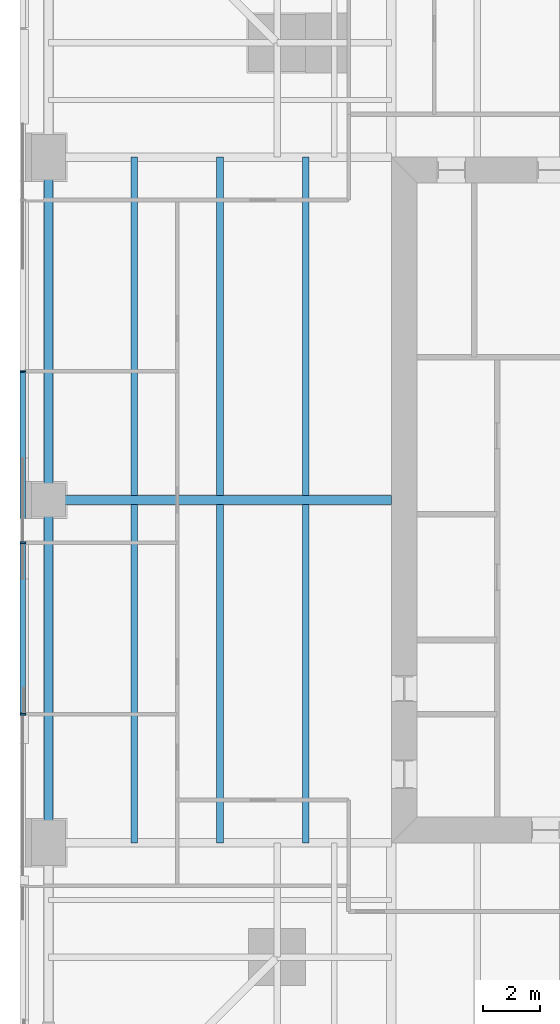
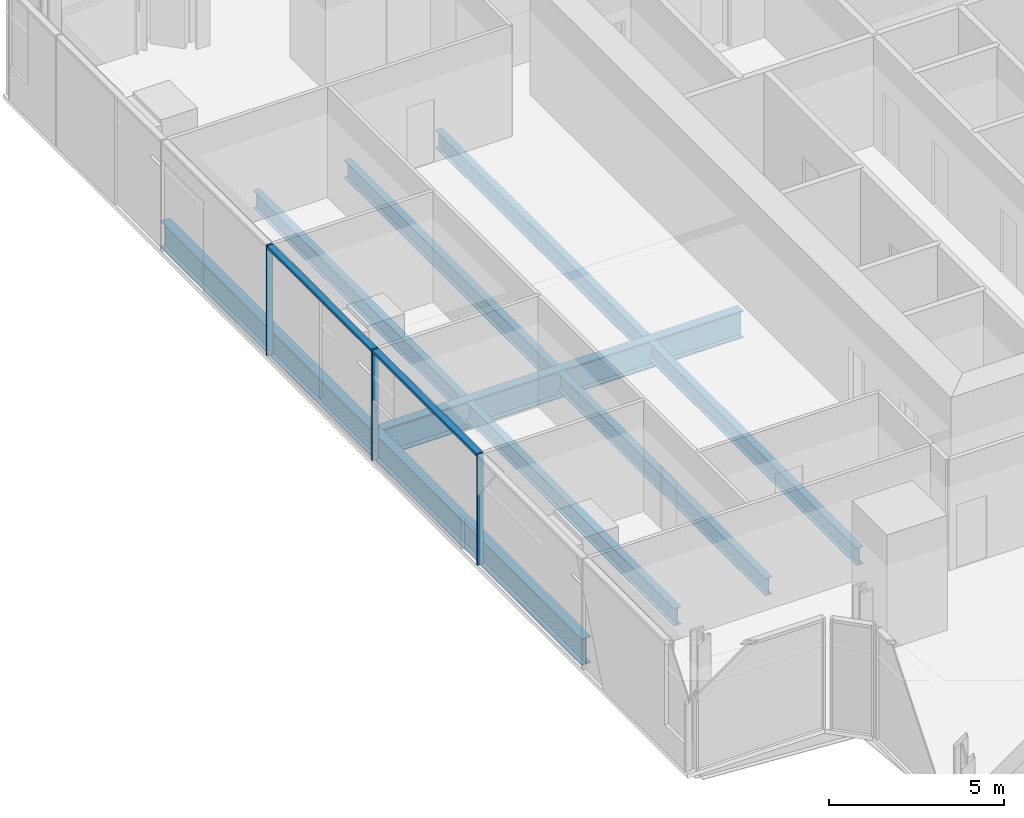
# One storey, part 4 of 14: 9 beams, 5 members, 1 element without a shape of its own.
"""IFC4 building model written with IfcOpenShell, lengths in metres."""

import ifcopenshell
import ifcopenshell.guid

model = None  # the IFC model being written
_history = None  # IfcOwnerHistory: only IFC2X3 demands one
_inside = {}  # id of a spatial element -> (the spatial element, [elements in it])
_under = {}  # id of a project, library or spatial element -> (it, [spatial elements below it])
_declared = {}  # id of a project -> (the project, [libraries it declares])
_typed = {}  # id of a type object -> (the type object, [elements of that type])
_made_of = {}  # id of a material, layer set ... -> (it, [elements and type objects made of it])


def new_model(schema):
    """Start an empty IFC model of exactly this schema.

    Asked for "IFC4X3", IfcOpenShell would pick the latest addendum, in which some entities
    have other attributes; the version numbers below select the first issue.
    IFC2X3 requires an IfcOwnerHistory on every rooted entity: one is made here for all.
    """
    global model, _history
    if schema == "IFC4X3":
        model = ifcopenshell.file(schema_version=(4, 3, 0, 0))
    else:
        model = ifcopenshell.file(schema=schema)
    _inside.clear()
    _under.clear()
    _declared.clear()
    _typed.clear()
    _made_of.clear()
    _history = None
    if model.schema == "IFC2X3":
        org = make("IfcOrganization", Name="unknown")
        user = make(
            "IfcPersonAndOrganization",
            ThePerson=make("IfcPerson", FamilyName="unknown"),
            TheOrganization=org,
        )
        app = make(
            "IfcApplication",
            ApplicationDeveloper=org,
            Version="unknown",
            ApplicationFullName="unknown",
            ApplicationIdentifier="unknown",
        )
        _history = make(
            "IfcOwnerHistory",
            OwningUser=user,
            OwningApplication=app,
            ChangeAction="ADDED",
            CreationDate=0,
        )
    return model


def make(cls, **values):
    """One entity of the class cls with the attributes given. An attribute that is None is left unset."""
    return model.create_entity(
        cls, **{name: value for name, value in values.items() if value is not None}
    )


def rooted(cls, **values):
    """An entity with a GlobalId (a new one), such as an element, a storey or a relation."""
    return make(cls, GlobalId=ifcopenshell.guid.new(), OwnerHistory=_history, **values)


def si_unit(unit_type, name, prefix=None):
    """IfcSIUnit, for example si_unit("LENGTHUNIT", "METRE", prefix="MILLI")."""
    return make("IfcSIUnit", UnitType=unit_type, Prefix=prefix, Name=name)


def assignment(units):
    """IfcUnitAssignment: the units of a project."""
    return None if units is None else make("IfcUnitAssignment", Units=units)


def point(xyz):
    """IfcCartesianPoint."""
    return None if xyz is None else make("IfcCartesianPoint", Coordinates=xyz)


def direction(xyz):
    """IfcDirection."""
    return None if xyz is None else make("IfcDirection", DirectionRatios=xyz)


def frame(location, z_axis=None, x_axis=None):
    """IfcAxis2Placement3D, a coordinate frame: its origin and axes. An axis left out is left unset."""
    return make(
        "IfcAxis2Placement3D",
        Location=point(location),
        Axis=direction(z_axis),
        RefDirection=direction(x_axis),
    )


def frame_2d(location, x_axis=None):
    """IfcAxis2Placement2D, a coordinate frame in the plane: its origin and x axis."""
    return make(
        "IfcAxis2Placement2D", Location=point(location), RefDirection=direction(x_axis)
    )


def origin():
    """The frame at (0, 0, 0) with its axes left unset."""
    return frame((0.0, 0.0, 0.0))


def origin_2d():
    """The frame at (0, 0) in the plane with its x axis left unset."""
    return frame_2d((0.0, 0.0))


def place(relative_to, where):
    """IfcLocalPlacement: puts the frame where relative to a parent placement (None: the world)."""
    return make(
        "IfcLocalPlacement", PlacementRelTo=relative_to, RelativePlacement=where
    )


def context(
    kind, dimensions, precision=None, world=None, true_north=None, identifier=None
):
    """IfcGeometricRepresentationContext, for example the 3D "Model" context."""
    return make(
        "IfcGeometricRepresentationContext",
        ContextIdentifier=identifier,
        ContextType=kind,
        CoordinateSpaceDimension=dimensions,
        Precision=precision,
        WorldCoordinateSystem=world,
        TrueNorth=true_north,
    )


def subcontext(parent, identifier, kind, view, scale=None):
    """IfcGeometricRepresentationSubContext, for example "Body" below "Model"."""
    return make(
        "IfcGeometricRepresentationSubContext",
        ContextIdentifier=identifier,
        ContextType=kind,
        ParentContext=parent,
        TargetScale=scale,
        TargetView=view,
    )


def project(units=None, contexts=None):
    """IfcProject with its units and contexts."""
    return rooted(
        "IfcProject",
        Name="project",
        RepresentationContexts=contexts,
        UnitsInContext=assignment(units),
    )


def spatial(cls, under=None, at=None, **own):
    """A site, building, storey or space (cls), placed at a placement, below another one or the project."""
    s = rooted(cls, ObjectPlacement=at, **own)
    if under is not None:
        _under.setdefault(under.id(), (under, []))[1].append(s)
    return s


def profile(cls, at=None, kind="AREA", **sizes):
    """A parametric profile (cls). Its sizes go by their IFC names, for example OverallWidth=200.0."""
    return make(cls, ProfileType=kind, Position=at, **sizes)


def rectangle(**sizes):
    """IfcRectangleProfileDef."""
    return profile("IfcRectangleProfileDef", **sizes)


def i_section(**sizes):
    """IfcIShapeProfileDef."""
    return profile("IfcIShapeProfileDef", **sizes)


def extrude(swept, where, along, depth):
    """IfcExtrudedAreaSolid: the profile swept, set in the frame where, extruded along a direction by depth."""
    return make(
        "IfcExtrudedAreaSolid",
        SweptArea=swept,
        Position=where,
        ExtrudedDirection=direction(along),
        Depth=depth,
    )


def shape(context_of_items, identifier, shape_type, items):
    """IfcShapeRepresentation: the items that make up one representation, for example the "Body"."""
    return make(
        "IfcShapeRepresentation",
        ContextOfItems=context_of_items,
        RepresentationIdentifier=identifier,
        RepresentationType=shape_type,
        Items=items,
    )


def material(Name=None, Category=None):
    """IfcMaterial."""
    return make("IfcMaterial", Name=Name, Category=Category)


def material_profile(
    of_material, cross_section, Name=None, Category=None, Priority=None
):
    """IfcMaterialProfile: a cross section and its material."""
    return make(
        "IfcMaterialProfile",
        Name=Name,
        Material=of_material,
        Profile=cross_section,
        Priority=Priority,
        Category=Category,
    )


def profile_set(profiles, Name=None, composite=None):
    """IfcMaterialProfileSet."""
    return make(
        "IfcMaterialProfileSet",
        Name=Name,
        MaterialProfiles=profiles,
        CompositeProfile=composite,
    )


def made_of(thing, what):
    """Note that an element or type object is made of a material, layer set ...; save() writes the relation."""
    if what is not None:
        _made_of.setdefault(what.id(), (what, []))[1].append(thing)
    return thing


def type_object(cls, material=None, **own):
    """A type object (cls), such as IfcWallType, which elements share."""
    return made_of(rooted(cls, **own), material)


def element(
    cls,
    number,
    at=None,
    inside=None,
    cuts=None,
    type_object=None,
    material=None,
    context=None,
    identifier="Body",
    shape_type=None,
    held_by="IfcProductDefinitionShape",
    body=None,
    shapes=None,
    **own,
):
    """One element of the class cls, such as IfcWall. Its Tag is "e" and its number.

    at: its placement. inside: the storey or other place that contains it. cuts: it is an
    opening in that element (IfcRelVoidsElement). A single representation is given by context,
    identifier, shape_type and body (its items); several are given by shapes. held_by: the class
    of the entity that holds the representations. save() writes the other relations.
    """
    e = rooted(cls, Tag="e%d" % number, ObjectPlacement=at, **own)
    if body is not None:
        shapes = [shape(context, identifier, shape_type, body)]
    if shapes is not None:
        e.Representation = make(held_by, Representations=shapes)
    if inside is not None:
        _inside.setdefault(inside.id(), (inside, []))[1].append(e)
    if cuts is not None:
        rooted(
            "IfcRelVoidsElement", RelatingBuildingElement=cuts, RelatedOpeningElement=e
        )
    if type_object is not None:
        _typed.setdefault(type_object.id(), (type_object, []))[1].append(e)
    return made_of(e, material)


def aggregate(whole, parts):
    """IfcRelAggregates: a whole, such as a stair, and the parts it consists of."""
    return rooted("IfcRelAggregates", RelatingObject=whole, RelatedObjects=parts)


def save(model, path):
    """Write the relations noted so far, then the file.

    IfcRelAggregates (storeys below a building ...), IfcRelContainedInSpatialStructure (elements
    in a storey), IfcRelDefinesByType, IfcRelAssociatesMaterial and IfcRelDeclares: one each for
    every whole, place, type object, material and project.
    """
    for whole, parts in _under.values():
        aggregate(whole, parts)
    for where, things in _inside.values():
        rooted(
            "IfcRelContainedInSpatialStructure",
            RelatedElements=things,
            RelatingStructure=where,
        )
    for kind, things in _typed.values():
        rooted("IfcRelDefinesByType", RelatedObjects=things, RelatingType=kind)
    for what, things in _made_of.values():
        rooted("IfcRelAssociatesMaterial", RelatedObjects=things, RelatingMaterial=what)
    for by, libraries in _declared.values():
        rooted("IfcRelDeclares", RelatingContext=by, RelatedDefinitions=libraries)
    model.write(path)


model = new_model("IFC4")

# Units and contexts
model_context = context("Model", 3, precision=1e-05, world=origin(), true_north=direction((0.0, 1.0)))
body_context = subcontext(model_context, "Body", "Model", "MODEL_VIEW")
ifc_project = project(units=[si_unit("LENGTHUNIT", "METRE"), si_unit("AREAUNIT", "SQUARE_METRE"), si_unit("VOLUMEUNIT", "CUBIC_METRE"), si_unit("PLANEANGLEUNIT", "RADIAN"), si_unit("MASSUNIT", "GRAM", prefix="KILO")], contexts=[model_context])

# Site, building, storey
site_placement = place(None, origin())
site = spatial("IfcSite", under=ifc_project, at=site_placement, CompositionType="ELEMENT")
building_placement = place(site_placement, origin())
building = spatial("IfcBuilding", under=site, at=building_placement, Name="Fenwick Lantern Interchange", CompositionType="ELEMENT")
storey_placement = place(building_placement, frame((0.0, 0.0, 189.800048828125)))
storey = spatial("IfcBuildingStorey", under=building, at=storey_placement, Name="L44", CompositionType="ELEMENT", Elevation=189.800048828125)

# Beams
ifc_material_1 = material(Name="Steel ASTM A992 Grade 50", Category="steel")
ifc_material_profile_1 = material_profile(ifc_material_1, i_section(OverallWidth=0.3046875, OverallDepth=0.911865234375, WebThickness=0.015869140625, FlangeThickness=0.02392578125, at=origin_2d()), Name="W36X150")
ifc_profile_set_1 = profile_set([ifc_material_profile_1], Name="Steel ASTM A992 Grade 50")
beam_type_1 = type_object("IfcBeamType", Name="EDGE BEAM W36X150", PredefinedType="SPANDREL", material=ifc_profile_set_1)
for number, where, z_axis, x_axis, name in (
    (1, (1.0, 37.0, -0.60595703125), (0.0, -1.0, 0.0), (1.0, 0.0, 0.0), "L44/FR/W/EB2"),
    (2, (1.0, 25.0, -0.60595703125), (0.0, -1.0, 0.0), (1.0, 0.0, 0.0), "L44/FR/W/EB3"),
):
    element("IfcBeam", number, at=place(storey_placement, frame(where, z_axis=z_axis, x_axis=x_axis)), inside=storey, type_object=beam_type_1, Name=name, PredefinedType="SPANDREL", context=body_context, shape_type="SweptSolid", body=[
        extrude(i_section(OverallWidth=0.3046875, OverallDepth=0.911865234375, WebThickness=0.015869140625, FlangeThickness=0.02392578125, at=origin_2d()), origin(), (0.0, 0.0, 1.0), 12.0),
    ])
ifc_material_profile_2 = material_profile(ifc_material_1, i_section(OverallWidth=0.22900390625, OverallDepth=0.612060546875, WebThickness=0.011962890625, FlangeThickness=0.01953125, at=origin_2d()), Name="W24X84")
ifc_profile_set_2 = profile_set([ifc_material_profile_2], Name="Steel ASTM A992 Grade 50")
beam_type_2 = type_object("IfcBeamType", Name="FLOOR BEAM W24X84", PredefinedType="BEAM", material=ifc_profile_set_2)
for number, where, z_axis, x_axis, name in (
    (3, (4.0, 37.0, -0.4560546875), (0.0, -1.0, 0.0), (1.0, 0.0, 0.0), "L44/FR/W/B01"),
    (4, (7.0, 37.0, -0.4560546875), (0.0, -1.0, 0.0), (1.0, 0.0, 0.0), "L44/FR/W/B02"),
    (5, (10.0, 37.0, -0.4560546875), (0.0, -1.0, 0.0), (1.0, 0.0, 0.0), "L44/FR/W/B03"),
    (6, (4.0, 24.844970703125, -0.4560546875), (0.0, -1.0, 0.0), (1.0, 0.0, 0.0), "L44/FR/W/B04"),
    (7, (7.0, 24.844970703125, -0.4560546875), (0.0, -1.0, 0.0), (1.0, 0.0, 0.0), "L44/FR/W/B05"),
    (8, (10.0, 24.844970703125, -0.4560546875), (0.0, -1.0, 0.0), (1.0, 0.0, 0.0), "L44/FR/W/B06"),
):
    element("IfcBeam", number, at=place(storey_placement, frame(where, z_axis=z_axis, x_axis=x_axis)), inside=storey, type_object=beam_type_2, Name=name, PredefinedType="BEAM", context=body_context, shape_type="SweptSolid", body=[
        extrude(i_section(OverallWidth=0.22900390625, OverallDepth=0.612060546875, WebThickness=0.011962890625, FlangeThickness=0.01953125, at=origin_2d()), origin(), (0.0, 0.0, 1.0), 11.844970703125),
    ])
ifc_material_profile_3 = material_profile(ifc_material_1, i_section(OverallWidth=0.309814453125, OverallDepth=0.949951171875, WebThickness=0.0244140625, FlangeThickness=0.0439453125, at=origin_2d()), Name="W36X256")
ifc_profile_set_3 = profile_set([ifc_material_profile_3], Name="Steel ASTM A992 Grade 50")
beam_type_3 = type_object("IfcBeamType", Name="MOMENT-CONNECTED GIRDER W36X256", PredefinedType="BEAM", material=ifc_profile_set_3)
beam_placement = place(storey_placement, frame((1.0, 25.0, -0.625), z_axis=(1.0, 0.0, 0.0), x_axis=(0.0, 1.0, 0.0)))
element("IfcBeam", 9, at=beam_placement, inside=storey, type_object=beam_type_3, Name="L44/FR/W/R02", PredefinedType="BEAM", context=body_context, shape_type="SweptSolid", body=[
    extrude(i_section(OverallWidth=0.309814453125, OverallDepth=0.949951171875, WebThickness=0.0244140625, FlangeThickness=0.0439453125, at=origin_2d()), origin(), (0.0, 0.0, 1.0), 12.0),
])

# Curtain wall, members
ifc_material_2 = material(Name="Aluminium curtain wall frame", Category="aluminium")
curtain_wall_type = type_object("IfcCurtainWallType", Name="OFFICE CURTAIN WALL", PredefinedType="USERDEFINED", material=ifc_material_2)
curtain_wall_placement = place(storey_placement, origin())
curtain_wall = element("IfcCurtainWall", 10, at=curtain_wall_placement, inside=storey, type_object=curtain_wall_type, Name="Office curtain wall 13", ObjectType="OFFICE CURTAIN WALL", PredefinedType="USERDEFINED")
ifc_material_3 = material(Name="Aluminium extrusion", Category="aluminium")
ifc_material_profile_4 = material_profile(ifc_material_3, rectangle(XDim=0.199951171875, YDim=0.06494140625, at=origin_2d()), Name="OFFICE CURTAIN WALL MULLION 65 X 200")
ifc_profile_set_4 = profile_set([ifc_material_profile_4], Name="Aluminium extrusion")
member_type_1 = type_object("IfcMemberType", Name="OFFICE CURTAIN WALL MULLION 65 X 200", PredefinedType="MULLION", material=ifc_profile_set_4)
member_1_placement = place(storey_placement, frame((0.10009765625, 29.5, 0.0), z_axis=(0.0, 0.0, 1.0), x_axis=(1.0, 0.0, 0.0)))
member_1 = element("IfcMember", 11, at=member_1_placement, type_object=member_type_1, Name="L44/CW/13/M03", PredefinedType="MULLION", context=body_context, shape_type="SweptSolid", body=[
    extrude(rectangle(XDim=0.199951171875, YDim=0.06494140625, at=origin_2d()), origin(), (0.0, 0.0, 1.0), 3.849853515625),
])
member_2_placement = place(storey_placement, frame((0.10009765625, 23.5, 0.0), z_axis=(0.0, 0.0, 1.0), x_axis=(1.0, 0.0, 0.0)))
member_2 = element("IfcMember", 12, at=member_2_placement, type_object=member_type_1, Name="L44/CW/13/M04", PredefinedType="MULLION", context=body_context, shape_type="SweptSolid", body=[
    extrude(rectangle(XDim=0.199951171875, YDim=0.06494140625, at=origin_2d()), origin(), (0.0, 0.0, 1.0), 3.849853515625),
])
member_3_placement = place(storey_placement, frame((0.10009765625, 17.5, 0.0), z_axis=(0.0, 0.0, 1.0), x_axis=(1.0, 0.0, 0.0)))
member_3 = element("IfcMember", 13, at=member_3_placement, type_object=member_type_1, Name="L44/CW/13/M05", PredefinedType="MULLION", context=body_context, shape_type="SweptSolid", body=[
    extrude(rectangle(XDim=0.199951171875, YDim=0.06494140625, at=origin_2d()), origin(), (0.0, 0.0, 1.0), 3.849853515625),
])
ifc_material_profile_5 = material_profile(ifc_material_3, rectangle(XDim=0.199951171875, YDim=0.10009765625, at=origin_2d()), Name="OFFICE CURTAIN WALL TRANSOM 100 X 200")
ifc_profile_set_5 = profile_set([ifc_material_profile_5], Name="Aluminium extrusion")
member_type_2 = type_object("IfcMemberType", Name="OFFICE CURTAIN WALL TRANSOM 100 X 200", PredefinedType="MULLION", material=ifc_profile_set_5)
member_4_placement = place(storey_placement, frame((0.10009765625, 29.467529296875, 3.800048828125), z_axis=(0.0, -1.0, 0.0), x_axis=(1.0, 0.0, 0.0)))
member_4 = element("IfcMember", 14, at=member_4_placement, type_object=member_type_2, Name="L44/CW/13/T03", PredefinedType="MULLION", context=body_context, shape_type="SweptSolid", body=[
    extrude(rectangle(XDim=0.199951171875, YDim=0.10009765625, at=origin_2d()), origin(), (0.0, 0.0, 1.0), 5.93505859375),
])
member_5_placement = place(storey_placement, frame((0.10009765625, 23.467529296875, 3.800048828125), z_axis=(0.0, -1.0, 0.0), x_axis=(1.0, 0.0, 0.0)))
member_5 = element("IfcMember", 15, at=member_5_placement, type_object=member_type_2, Name="L44/CW/13/T04", PredefinedType="MULLION", context=body_context, shape_type="SweptSolid", body=[
    extrude(rectangle(XDim=0.199951171875, YDim=0.10009765625, at=origin_2d()), origin(), (0.0, 0.0, 1.0), 5.93505859375),
])
aggregate(curtain_wall, [member_1, member_2, member_3, member_4, member_5])

save(model, "model.ifc")
